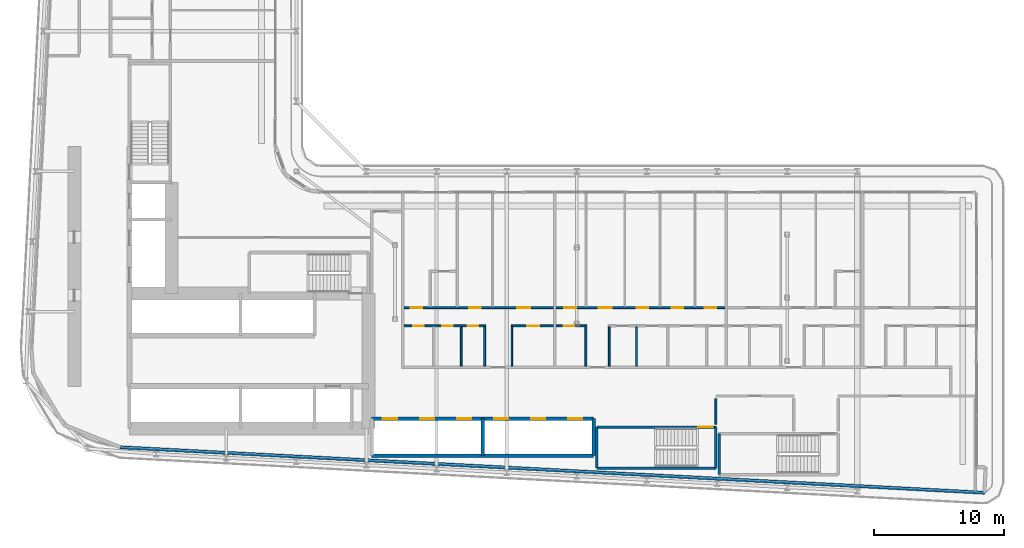
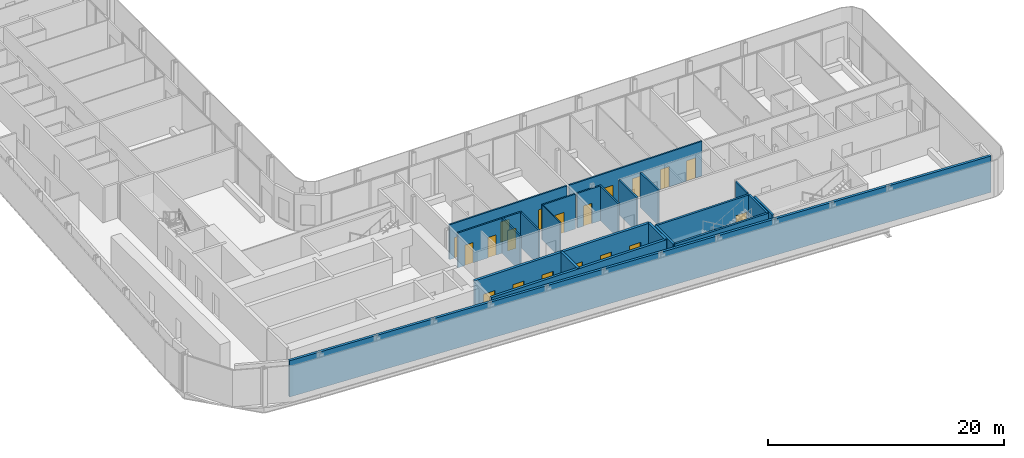
# One storey, part 14 of 28: 22 walls, 20 doors, 20 openings.
"""IFC4 building model written with IfcOpenShell, lengths in metres."""

from ifc_helpers import new_model, si_unit, direction, frame, frame_2d, origin, place, context, subcontext, project, spatial, rectangle, extrude, source, transform, mapped, material, layer, layer_set, type_object, element, fill, save


model = new_model("IFC4")

# Units and contexts
model_context = context("Model", 3, precision=1e-05, world=origin(), true_north=direction((0.0, 1.0)))
body_context = subcontext(model_context, "Body", "Model", "MODEL_VIEW")
ifc_project = project(units=[si_unit("LENGTHUNIT", "METRE"), si_unit("AREAUNIT", "SQUARE_METRE"), si_unit("VOLUMEUNIT", "CUBIC_METRE"), si_unit("PLANEANGLEUNIT", "RADIAN"), si_unit("MASSUNIT", "GRAM", prefix="KILO")], contexts=[model_context])

# Site, building, storey
site_placement = place(None, origin())
site = spatial("IfcSite", under=ifc_project, at=site_placement, CompositionType="ELEMENT")
building_placement = place(site_placement, origin())
building = spatial("IfcBuilding", under=site, at=building_placement, Name="Kheshtan School and Residences Tower", CompositionType="ELEMENT")
storey_placement = place(building_placement, frame((0.0, 0.0, 77.300048828125)))
storey = spatial("IfcBuildingStorey", under=building, at=storey_placement, Name="L18", CompositionType="ELEMENT", Elevation=77.300048828125)

# Walls
ifc_material_1 = material(Name="Concrete C40/50 with ceramic cladding and mineral wool insulation", Category="concrete")
ifc_layer_1 = layer(ifc_material_1, 0.25)
ifc_layer_set_1 = layer_set([ifc_layer_1], Name="External wall 250 ceramic clad")
wall_type_1 = type_object("IfcWallType", Name="External wall 250 ceramic clad", PredefinedType="SOLIDWALL", material=ifc_layer_set_1)
wall_1_placement = place(storey_placement, frame((100.5859375, 20.85009765625, 0.0), z_axis=(0.0, 0.0, 1.0), x_axis=(-0.99861746497, 0.052565755559, 0.0)))
element("IfcWall", 1, at=wall_1_placement, inside=storey, type_object=wall_type_1, Name="External wall L18 16", PredefinedType="SOLIDWALL", context=body_context, shape_type="SweptSolid", body=[
    extrude(rectangle(XDim=66.638916015625, YDim=0.25, at=frame_2d((33.3193359375, 0.0))), origin(), (0.0, 0.0, 1.0), 3.75),
])
ifc_material_2 = material(Name="Gypsum board on steel studs", Category="steel")
ifc_layer_2 = layer(ifc_material_2, 0.10009765625)
ifc_layer_set_2 = layer_set([ifc_layer_2], Name="Gypsum partition 100")
wall_type_2 = type_object("IfcWallType", Name="Gypsum partition 100", PredefinedType="PARTITIONING", material=ifc_layer_set_2)
wall_2_placement = place(storey_placement, frame((64.199951171875, 30.60009765625, 0.0), z_axis=(0.0, 0.0, 1.0), x_axis=(0.0, 1.0, 0.0)))
element("IfcWall", 2, at=wall_2_placement, inside=storey, type_object=wall_type_2, Name="Partition L18-058", PredefinedType="PARTITIONING", context=body_context, shape_type="SweptSolid", body=[
    extrude(rectangle(XDim=3.02490234375, YDim=0.10009765625, at=frame_2d((1.512451171875, 0.0))), origin(), (0.0, 0.0, 1.0), 3.599853515625),
])
ifc_material_3 = material(Name="Fire-board shaft wall system")
ifc_layer_3 = layer(ifc_material_3, 0.14990234375)
ifc_layer_set_3 = layer_set([ifc_layer_3], Name="Service room wall 150")
wall_type_3 = type_object("IfcWallType", Name="Service room wall 150", PredefinedType="PARTITIONING", material=ifc_layer_set_3)
wall_3_placement = place(storey_placement, frame((79.909912109375, 26.1201171875, 0.0), z_axis=(0.0, 0.0, 1.0), x_axis=(0.0, 1.0, 0.0)))
element("IfcWall", 3, at=wall_3_placement, inside=storey, type_object=wall_type_3, Name="Service room wall", PredefinedType="PARTITIONING", context=body_context, shape_type="SweptSolid", body=[
    extrude(rectangle(XDim=1.98486328125, YDim=0.14990234375, at=frame_2d((0.992431640625, 0.0))), origin(), (0.0, 0.0, 1.0), 3.89990234375),
])
ifc_layer_4 = layer(ifc_material_3, 0.25)
ifc_layer_set_4 = layer_set([ifc_layer_4], Name="Shaft lining wall 250")
wall_type_4 = type_object("IfcWallType", Name="Shaft lining wall 250", PredefinedType="PARTITIONING", material=ifc_layer_set_4)
for number, where, z_axis, x_axis, name in (
    (4, (61.949951171875, 23.699951171875, 0.0), (0.0, 0.0, 1.0), (0.0, 1.0, 0.0), "Shaft lining wall"),
    (5, (70.5, 23.699951171875, 0.0), (0.0, 0.0, 1.0), (0.0, 1.0, 0.0), "Shaft lining wall"),
):
    element("IfcWall", number, at=place(storey_placement, frame(where, z_axis=z_axis, x_axis=x_axis)), inside=storey, type_object=wall_type_4, Name=name, PredefinedType="PARTITIONING", context=body_context, shape_type="SweptSolid", body=[
        extrude(rectangle(XDim=2.85009765625, YDim=0.25, at=frame_2d((1.425048828125, 0.0))), origin(), (0.0, 0.0, 1.0), 3.89990234375),
    ])
wall_4_placement = place(storey_placement, frame((53.39990234375, 23.699951171875, 0.0), z_axis=(0.0, 0.0, 1.0), x_axis=(1.0, 0.0, 0.0)))
element("IfcWall", 6, at=wall_4_placement, inside=storey, type_object=wall_type_4, Name="Shaft lining wall", PredefinedType="PARTITIONING", context=body_context, shape_type="SweptSolid", body=[
    extrude(rectangle(XDim=17.10009765625, YDim=0.25, at=frame_2d((8.550048828125, 0.0))), origin(), (0.0, 0.0, 1.0), 3.89990234375),
])

# Wall, openings, doors
wall_5_placement = place(storey_placement, frame((53.39990234375, 26.550048828125, 0.0), z_axis=(0.0, 0.0, 1.0), x_axis=(1.0, 0.0, 0.0)))
wall_5 = element("IfcWall", 7, at=wall_5_placement, inside=storey, type_object=wall_type_4, Name="Shaft lining wall", PredefinedType="PARTITIONING", context=body_context, shape_type="SweptSolid", body=[
    extrude(rectangle(XDim=17.10009765625, YDim=0.25, at=frame_2d((8.550048828125, 0.0))), origin(), (0.0, 0.0, 1.0), 3.89990234375),
])
opening_1_placement = place(wall_5_placement, frame((0.875, 0.0, 0.0)))
opening_1 = element("IfcOpeningElement", 8, at=opening_1_placement, cuts=wall_5, Name="Opening LD", PredefinedType="OPENING", context=body_context, shape_type="SweptSolid", body=[
    extrude(rectangle(XDim=1.10009765625, YDim=2.199951171875, at=frame_2d((0.550048828125, 1.10009765625))), frame((0.0, 0.135009765625, 0.0), z_axis=(0.0, -1.0, 0.0), x_axis=(1.0, 0.0, 0.0)), (0.0, 0.0, 1.0), 0.27001953125),
])
opening_2_placement = place(wall_5_placement, frame((3.72509765625, 0.0, 0.0)))
opening_2 = element("IfcOpeningElement", 9, at=opening_2_placement, cuts=wall_5, Name="Opening LD", PredefinedType="OPENING", context=body_context, shape_type="SweptSolid", body=[
    extrude(rectangle(XDim=1.10009765625, YDim=2.199951171875, at=frame_2d((0.550048828125, 1.10009765625))), frame((0.0, 0.135009765625, 0.0), z_axis=(0.0, -1.0, 0.0), x_axis=(1.0, 0.0, 0.0)), (0.0, 0.0, 1.0), 0.27001953125),
])
opening_3_placement = place(wall_5_placement, frame((6.574951171875, 0.0, 0.0)))
opening_3 = element("IfcOpeningElement", 10, at=opening_3_placement, cuts=wall_5, Name="Opening LD", PredefinedType="OPENING", context=body_context, shape_type="SweptSolid", body=[
    extrude(rectangle(XDim=1.10009765625, YDim=2.199951171875, at=frame_2d((0.550048828125, 1.10009765625))), frame((0.0, 0.135009765625, 0.0), z_axis=(0.0, -1.0, 0.0), x_axis=(1.0, 0.0, 0.0)), (0.0, 0.0, 1.0), 0.27001953125),
])
opening_4_placement = place(wall_5_placement, frame((9.425048828125, 0.0, 0.0)))
opening_4 = element("IfcOpeningElement", 11, at=opening_4_placement, cuts=wall_5, Name="Opening LD", PredefinedType="OPENING", context=body_context, shape_type="SweptSolid", body=[
    extrude(rectangle(XDim=1.10009765625, YDim=2.199951171875, at=frame_2d((0.550048828125, 1.10009765625))), frame((0.0, 0.135009765625, 0.0), z_axis=(0.0, -1.0, 0.0), x_axis=(1.0, 0.0, 0.0)), (0.0, 0.0, 1.0), 0.27001953125),
])
opening_5_placement = place(wall_5_placement, frame((12.27490234375, 0.0, 0.0)))
opening_5 = element("IfcOpeningElement", 12, at=opening_5_placement, cuts=wall_5, Name="Opening LD", PredefinedType="OPENING", context=body_context, shape_type="SweptSolid", body=[
    extrude(rectangle(XDim=1.10009765625, YDim=2.199951171875, at=frame_2d((0.550048828125, 1.10009765625))), frame((0.0, 0.135009765625, 0.0), z_axis=(0.0, -1.0, 0.0), x_axis=(1.0, 0.0, 0.0)), (0.0, 0.0, 1.0), 0.27001953125),
])
opening_6_placement = place(wall_5_placement, frame((15.125, 0.0, 0.0)))
opening_6 = element("IfcOpeningElement", 13, at=opening_6_placement, cuts=wall_5, Name="Opening LD", PredefinedType="OPENING", context=body_context, shape_type="SweptSolid", body=[
    extrude(rectangle(XDim=1.10009765625, YDim=2.199951171875, at=frame_2d((0.550048828125, 1.10009765625))), frame((0.0, 0.135009765625, 0.0), z_axis=(0.0, -1.0, 0.0), x_axis=(1.0, 0.0, 0.0)), (0.0, 0.0, 1.0), 0.27001953125),
])
ifc_material_4 = material(Name="Stainless steel door leaves", Category="steel")
door_type_1 = type_object("IfcDoorType", Name="Lift landing door 1100", OperationType="SLIDING_TO_LEFT", PredefinedType="DOOR", material=ifc_material_4)
shared_shape_1 = source(origin(), body_context, "Body", "SweptSolid", [
    extrude(rectangle(XDim=1.10009765625, YDim=2.199951171875, at=frame_2d((0.550048828125, 1.10009765625))), frame((0.0, 0.02490234375, 0.0), z_axis=(0.0, -1.0, 0.0), x_axis=(1.0, 0.0, 0.0)), (0.0, 0.0, 1.0), 0.050048828125),
])
door_1_placement = place(opening_1_placement, origin())
door_1 = element("IfcDoor", 14, at=door_1_placement, inside=storey, type_object=door_type_1, Name="Lift P1 landing door", OperationType="SLIDING_TO_LEFT", OverallHeight=2.199951171875, OverallWidth=1.10009765625, PredefinedType="DOOR", context=body_context, shape_type="MappedRepresentation", body=[
    mapped(shared_shape_1, transform((0.0, 0.0, 0.0), x_axis=(1.0, 0.0, 0.0), y_axis=(0.0, 1.0, 0.0), z_axis=(0.0, 0.0, 1.0), scale=1.0)),
])
fill(opening_1, door_1)
door_2_placement = place(opening_2_placement, origin())
door_2 = element("IfcDoor", 15, at=door_2_placement, inside=storey, type_object=door_type_1, Name="Lift P2 landing door", OperationType="SLIDING_TO_LEFT", OverallHeight=2.199951171875, OverallWidth=1.10009765625, PredefinedType="DOOR", context=body_context, shape_type="MappedRepresentation", body=[
    mapped(shared_shape_1, transform((0.0, 0.0, 0.0), x_axis=(1.0, 0.0, 0.0), y_axis=(0.0, 1.0, 0.0), z_axis=(0.0, 0.0, 1.0), scale=1.0)),
])
fill(opening_2, door_2)
door_3_placement = place(opening_3_placement, origin())
door_3 = element("IfcDoor", 16, at=door_3_placement, inside=storey, type_object=door_type_1, Name="Lift P3 landing door", OperationType="SLIDING_TO_LEFT", OverallHeight=2.199951171875, OverallWidth=1.10009765625, PredefinedType="DOOR", context=body_context, shape_type="MappedRepresentation", body=[
    mapped(shared_shape_1, transform((0.0, 0.0, 0.0), x_axis=(1.0, 0.0, 0.0), y_axis=(0.0, 1.0, 0.0), z_axis=(0.0, 0.0, 1.0), scale=1.0)),
])
fill(opening_3, door_3)
door_4_placement = place(opening_4_placement, origin())
door_4 = element("IfcDoor", 17, at=door_4_placement, inside=storey, type_object=door_type_1, Name="Lift P4 landing door", OperationType="SLIDING_TO_LEFT", OverallHeight=2.199951171875, OverallWidth=1.10009765625, PredefinedType="DOOR", context=body_context, shape_type="MappedRepresentation", body=[
    mapped(shared_shape_1, transform((0.0, 0.0, 0.0), x_axis=(1.0, 0.0, 0.0), y_axis=(0.0, 1.0, 0.0), z_axis=(0.0, 0.0, 1.0), scale=1.0)),
])
fill(opening_4, door_4)
door_5_placement = place(opening_5_placement, origin())
door_5 = element("IfcDoor", 18, at=door_5_placement, inside=storey, type_object=door_type_1, Name="Lift P5 landing door", OperationType="SLIDING_TO_LEFT", OverallHeight=2.199951171875, OverallWidth=1.10009765625, PredefinedType="DOOR", context=body_context, shape_type="MappedRepresentation", body=[
    mapped(shared_shape_1, transform((0.0, 0.0, 0.0), x_axis=(1.0, 0.0, 0.0), y_axis=(0.0, 1.0, 0.0), z_axis=(0.0, 0.0, 1.0), scale=1.0)),
])
fill(opening_5, door_5)
door_6_placement = place(opening_6_placement, origin())
door_6 = element("IfcDoor", 19, at=door_6_placement, inside=storey, type_object=door_type_1, Name="Lift P6 landing door", OperationType="SLIDING_TO_LEFT", OverallHeight=2.199951171875, OverallWidth=1.10009765625, PredefinedType="DOOR", context=body_context, shape_type="MappedRepresentation", body=[
    mapped(shared_shape_1, transform((0.0, 0.0, 0.0), x_axis=(1.0, 0.0, 0.0), y_axis=(0.0, 1.0, 0.0), z_axis=(0.0, 0.0, 1.0), scale=1.0)),
])
fill(opening_6, door_6)

# Walls
ifc_material_5 = material(Name="Concrete C40/50", Category="concrete")
ifc_layer_5 = layer(ifc_material_5, 0.199951171875)
ifc_layer_set_5 = layer_set([ifc_layer_5], Name="Stair enclosure wall 200 Concrete C40/50")
wall_type_5 = type_object("IfcWallType", Name="Stair enclosure wall 200 Concrete C40/50", PredefinedType="SHEAR", material=ifc_layer_set_5)
wall_6_placement = place(storey_placement, frame((80.159912109375, 22.25, 0.0), z_axis=(0.0, 0.0, 1.0), x_axis=(0.0, 1.0, 0.0)))
element("IfcWall", 20, at=wall_6_placement, inside=storey, type_object=wall_type_5, Name="Stair enclosure wall ST4", PredefinedType="SHEAR", context=body_context, shape_type="SweptSolid", body=[
    extrude(rectangle(XDim=3.14990234375, YDim=0.199951171875, at=frame_2d((1.574951171875, 0.0))), origin(), (0.0, 0.0, 1.0), 3.89990234375),
])
wall_7_placement = place(storey_placement, frame((70.75, 22.75, 0.0), z_axis=(0.0, 0.0, 1.0), x_axis=(1.0, 0.0, 0.0)))
element("IfcWall", 21, at=wall_7_placement, inside=storey, type_object=wall_type_5, Name="Stair enclosure wall ST5", PredefinedType="SHEAR", context=body_context, shape_type="SweptSolid", body=[
    extrude(rectangle(XDim=9.159912109375, YDim=0.199951171875, at=frame_2d((4.580078125, 0.0))), origin(), (0.0, 0.0, 1.0), 3.89990234375),
])

# Wall, opening, door
wall_8_placement = place(storey_placement, frame((70.75, 25.89990234375, 0.0), z_axis=(0.0, 0.0, 1.0), x_axis=(1.0, 0.0, 0.0)))
wall_8 = element("IfcWall", 22, at=wall_8_placement, inside=storey, type_object=wall_type_5, Name="Stair enclosure wall ST5", PredefinedType="SHEAR", context=body_context, shape_type="SweptSolid", body=[
    extrude(rectangle(XDim=9.159912109375, YDim=0.199951171875, at=frame_2d((4.580078125, 0.0))), origin(), (0.0, 0.0, 1.0), 3.89990234375),
])
opening_7_placement = place(wall_8_placement, frame((7.81005859375, 0.0, 0.0)))
opening_7 = element("IfcOpeningElement", 23, at=opening_7_placement, cuts=wall_8, Name="Opening ST5D", PredefinedType="OPENING", context=body_context, shape_type="SweptSolid", body=[
    extrude(rectangle(XDim=1.10009765625, YDim=2.199951171875, at=frame_2d((0.550048828125, 1.10009765625))), frame((0.0, 0.10986328125, 0.0), z_axis=(0.0, -1.0, 0.0), x_axis=(1.0, 0.0, 0.0)), (0.0, 0.0, 1.0), 0.219970703125),
])
ifc_material_6 = material(Name="Steel door leaf, galvanised", Category="steel")
door_type_2 = type_object("IfcDoorType", Name="Stair door 1100 steel 90 min", OperationType="SINGLE_SWING_LEFT", PredefinedType="DOOR", material=ifc_material_6)
shared_shape_2 = source(origin(), body_context, "Body", "SweptSolid", [
    extrude(rectangle(XDim=1.10009765625, YDim=2.199951171875, at=frame_2d((0.550048828125, 1.10009765625))), frame((0.0, 0.02490234375, 0.0), z_axis=(0.0, -1.0, 0.0), x_axis=(1.0, 0.0, 0.0)), (0.0, 0.0, 1.0), 0.050048828125),
])
door_7_placement = place(opening_7_placement, origin())
door_7 = element("IfcDoor", 24, at=door_7_placement, inside=storey, type_object=door_type_2, Name="Stair ST5 door", OperationType="SINGLE_SWING_LEFT", OverallHeight=2.199951171875, OverallWidth=1.10009765625, PredefinedType="DOOR", context=body_context, shape_type="MappedRepresentation", body=[
    mapped(shared_shape_2, transform((0.0, 0.0, 0.0), x_axis=(1.0, 0.0, 0.0), y_axis=(0.0, 1.0, 0.0), z_axis=(0.0, 0.0, 1.0), scale=1.0)),
])
fill(opening_7, door_7)

# Walls
for number, where, z_axis, x_axis, name in (
    (25, (70.75, 22.75, 0.0), (0.0, 0.0, 1.0), (0.0, 1.0, 0.0), "Stair enclosure wall ST5"),
    (26, (79.909912109375, 22.75, 0.0), (0.0, 0.0, 1.0), (0.0, 1.0, 0.0), "Stair enclosure wall ST5"),
):
    element("IfcWall", number, at=place(storey_placement, frame(where, z_axis=z_axis, x_axis=x_axis)), inside=storey, type_object=wall_type_5, Name=name, PredefinedType="SHEAR", context=body_context, shape_type="SweptSolid", body=[
        extrude(rectangle(XDim=3.14990234375, YDim=0.199951171875, at=frame_2d((1.574951171875, 0.0))), origin(), (0.0, 0.0, 1.0), 3.89990234375),
    ])

# Wall, openings, doors
ifc_material_7 = material(Name="Moisture-resistant gypsum board on steel studs", Category="steel")
ifc_layer_6 = layer(ifc_material_7, 0.14990234375)
ifc_layer_set_6 = layer_set([ifc_layer_6], Name="Wet-room partition 150")
wall_type_6 = type_object("IfcWallType", Name="Wet-room partition 150", PredefinedType="PARTITIONING", material=ifc_layer_set_6)
wall_9_placement = place(storey_placement, frame((55.89990234375, 33.699951171875, 0.0), z_axis=(0.0, 0.0, 1.0), x_axis=(1.0, 0.0, 0.0)))
wall_9 = element("IfcWall", 27, at=wall_9_placement, inside=storey, type_object=wall_type_6, Name="Partition L18-048", PredefinedType="PARTITIONING", context=body_context, shape_type="SweptSolid", body=[
    extrude(rectangle(XDim=6.275146484375, YDim=0.14990234375, at=frame_2d((3.1376953125, 0.0))), origin(), (0.0, 0.0, 1.0), 3.599853515625),
])
opening_8_placement = place(wall_9_placement, frame((0.699951171875, 0.0, 0.0)))
opening_8 = element("IfcOpeningElement", 28, at=opening_8_placement, cuts=wall_9, Name="Opening D17-001", PredefinedType="OPENING", context=body_context, shape_type="SweptSolid", body=[
    extrude(rectangle(XDim=0.800048828125, YDim=2.10009765625, at=frame_2d((0.39990234375, 1.050048828125))), frame((0.0, 0.0849609375, 0.0), z_axis=(0.0, -1.0, 0.0), x_axis=(1.0, 0.0, 0.0)), (0.0, 0.0, 1.0), 0.169921875),
])
opening_9_placement = place(wall_9_placement, frame((2.949951171875, 0.0, 0.0)))
opening_9 = element("IfcOpeningElement", 29, at=opening_9_placement, cuts=wall_9, Name="Opening D17-006", PredefinedType="OPENING", context=body_context, shape_type="SweptSolid", body=[
    extrude(rectangle(XDim=0.800048828125, YDim=2.10009765625, at=frame_2d((0.39990234375, 1.050048828125))), frame((0.0, 0.0849609375, 0.0), z_axis=(0.0, -1.0, 0.0), x_axis=(1.0, 0.0, 0.0)), (0.0, 0.0, 1.0), 0.169921875),
])
opening_10_placement = place(wall_9_placement, frame((4.89990234375, 0.0, 0.0)))
opening_10 = element("IfcOpeningElement", 30, at=opening_10_placement, cuts=wall_9, Name="Opening D17-009", PredefinedType="OPENING", context=body_context, shape_type="SweptSolid", body=[
    extrude(rectangle(XDim=0.800048828125, YDim=2.10009765625, at=frame_2d((0.39990234375, 1.050048828125))), frame((0.0, 0.0849609375, 0.0), z_axis=(0.0, -1.0, 0.0), x_axis=(1.0, 0.0, 0.0)), (0.0, 0.0, 1.0), 0.169921875),
])
ifc_material_8 = material(Name="Veneered timber door leaf", Category="wood")
door_type_3 = type_object("IfcDoorType", Name="Door 800 x 2100", OperationType="SINGLE_SWING_LEFT", PredefinedType="DOOR", material=ifc_material_8)
shared_shape_3 = source(origin(), body_context, "Body", "SweptSolid", [
    extrude(rectangle(XDim=0.800048828125, YDim=2.10009765625, at=frame_2d((0.39990234375, 1.050048828125))), frame((0.0, 0.02490234375, 0.0), z_axis=(0.0, -1.0, 0.0), x_axis=(1.0, 0.0, 0.0)), (0.0, 0.0, 1.0), 0.050048828125),
])
door_8_placement = place(opening_8_placement, origin())
door_8 = element("IfcDoor", 31, at=door_8_placement, inside=storey, type_object=door_type_3, Name="Door D17-001", OperationType="SINGLE_SWING_RIGHT", OverallHeight=2.10009765625, OverallWidth=0.800048828125, PredefinedType="DOOR", context=body_context, shape_type="MappedRepresentation", body=[
    mapped(shared_shape_3, transform((0.0, 0.0, 0.0), x_axis=(1.0, 0.0, 0.0), y_axis=(0.0, 1.0, 0.0), z_axis=(0.0, 0.0, 1.0), scale=1.0)),
])
fill(opening_8, door_8)
door_9_placement = place(opening_9_placement, origin())
door_9 = element("IfcDoor", 32, at=door_9_placement, inside=storey, type_object=door_type_3, Name="Door D17-006", OperationType="SINGLE_SWING_LEFT", OverallHeight=2.10009765625, OverallWidth=0.800048828125, PredefinedType="DOOR", context=body_context, shape_type="MappedRepresentation", body=[
    mapped(shared_shape_3, transform((0.0, 0.0, 0.0), x_axis=(1.0, 0.0, 0.0), y_axis=(0.0, 1.0, 0.0), z_axis=(0.0, 0.0, 1.0), scale=1.0)),
])
fill(opening_9, door_9)
door_10_placement = place(opening_10_placement, origin())
door_10 = element("IfcDoor", 33, at=door_10_placement, inside=storey, type_object=door_type_3, Name="Door D17-009", OperationType="SINGLE_SWING_RIGHT", OverallHeight=2.10009765625, OverallWidth=0.800048828125, PredefinedType="DOOR", context=body_context, shape_type="MappedRepresentation", body=[
    mapped(shared_shape_3, transform((0.0, 0.0, 0.0), x_axis=(1.0, 0.0, 0.0), y_axis=(0.0, 1.0, 0.0), z_axis=(0.0, 0.0, 1.0), scale=1.0)),
])
fill(opening_10, door_10)

wall_10_placement = place(storey_placement, frame((55.89990234375, 35.10009765625, 0.0), z_axis=(0.0, 0.0, 1.0), x_axis=(1.0, 0.0, 0.0)))
wall_10 = element("IfcWall", 34, at=wall_10_placement, inside=storey, type_object=wall_type_6, Name="Partition L18-049", PredefinedType="PARTITIONING", context=body_context, shape_type="SweptSolid", body=[
    extrude(rectangle(XDim=11.5, YDim=0.14990234375, at=frame_2d((5.75, 0.0))), origin(), (0.0, 0.0, 1.0), 3.599853515625),
])
opening_11_placement = place(wall_10_placement, frame((5.0, 0.0, 0.0)))
opening_11 = element("IfcOpeningElement", 35, at=opening_11_placement, cuts=wall_10, Name="Opening D17-002", PredefinedType="OPENING", context=body_context, shape_type="SweptSolid", body=[
    extrude(rectangle(XDim=0.89990234375, YDim=2.10009765625, at=frame_2d((0.449951171875, 1.050048828125))), frame((0.0, 0.0849609375, 0.0), z_axis=(0.0, -1.0, 0.0), x_axis=(1.0, 0.0, 0.0)), (0.0, 0.0, 1.0), 0.169921875),
])
opening_12_placement = place(wall_10_placement, frame((8.699951171875, 0.0, 0.0)))
opening_12 = element("IfcOpeningElement", 36, at=opening_12_placement, cuts=wall_10, Name="Opening D17-007", PredefinedType="OPENING", context=body_context, shape_type="SweptSolid", body=[
    extrude(rectangle(XDim=1.0, YDim=2.10009765625, at=frame_2d((0.5, 1.050048828125))), frame((0.0, 0.0849609375, 0.0), z_axis=(0.0, -1.0, 0.0), x_axis=(1.0, 0.0, 0.0)), (0.0, 0.0, 1.0), 0.169921875),
])
opening_13_placement = place(wall_10_placement, frame((0.5, 0.0, 0.0)))
opening_13 = element("IfcOpeningElement", 37, at=opening_13_placement, cuts=wall_10, Name="Opening D17-008", PredefinedType="OPENING", context=body_context, shape_type="SweptSolid", body=[
    extrude(rectangle(XDim=0.89990234375, YDim=2.10009765625, at=frame_2d((0.449951171875, 1.050048828125))), frame((0.0, 0.0849609375, 0.0), z_axis=(0.0, -1.0, 0.0), x_axis=(1.0, 0.0, 0.0)), (0.0, 0.0, 1.0), 0.169921875),
])
door_type_4 = type_object("IfcDoorType", Name="Door 1000 x 2100", OperationType="SINGLE_SWING_LEFT", PredefinedType="DOOR", material=ifc_material_8)
shared_shape_4 = source(origin(), body_context, "Body", "SweptSolid", [
    extrude(rectangle(XDim=1.0, YDim=2.10009765625, at=frame_2d((0.5, 1.050048828125))), frame((0.0, 0.02490234375, 0.0), z_axis=(0.0, -1.0, 0.0), x_axis=(1.0, 0.0, 0.0)), (0.0, 0.0, 1.0), 0.050048828125),
])
door_11_placement = place(opening_12_placement, origin())
door_11 = element("IfcDoor", 38, at=door_11_placement, inside=storey, type_object=door_type_4, Name="Door D17-007", OperationType="SINGLE_SWING_RIGHT", OverallHeight=2.10009765625, OverallWidth=1.0, PredefinedType="DOOR", context=body_context, shape_type="MappedRepresentation", body=[
    mapped(shared_shape_4, transform((0.0, 0.0, 0.0), x_axis=(1.0, 0.0, 0.0), y_axis=(0.0, 1.0, 0.0), z_axis=(0.0, 0.0, 1.0), scale=1.0)),
])
fill(opening_12, door_11)
door_type_5 = type_object("IfcDoorType", Name="Door 900 x 2100", OperationType="SINGLE_SWING_LEFT", PredefinedType="DOOR", material=ifc_material_8)
shared_shape_5 = source(origin(), body_context, "Body", "SweptSolid", [
    extrude(rectangle(XDim=0.89990234375, YDim=2.10009765625, at=frame_2d((0.449951171875, 1.050048828125))), frame((0.0, 0.02490234375, 0.0), z_axis=(0.0, -1.0, 0.0), x_axis=(1.0, 0.0, 0.0)), (0.0, 0.0, 1.0), 0.050048828125),
])
door_12_placement = place(opening_11_placement, origin())
door_12 = element("IfcDoor", 39, at=door_12_placement, inside=storey, type_object=door_type_5, Name="Door D17-002", OperationType="SINGLE_SWING_LEFT", OverallHeight=2.10009765625, OverallWidth=0.89990234375, PredefinedType="DOOR", context=body_context, shape_type="MappedRepresentation", body=[
    mapped(shared_shape_5, transform((0.0, 0.0, 0.0), x_axis=(1.0, 0.0, 0.0), y_axis=(0.0, 1.0, 0.0), z_axis=(0.0, 0.0, 1.0), scale=1.0)),
])
fill(opening_11, door_12)
door_13_placement = place(opening_13_placement, origin())
door_13 = element("IfcDoor", 40, at=door_13_placement, inside=storey, type_object=door_type_5, Name="Door D17-008", OperationType="SINGLE_SWING_RIGHT", OverallHeight=2.10009765625, OverallWidth=0.89990234375, PredefinedType="DOOR", context=body_context, shape_type="MappedRepresentation", body=[
    mapped(shared_shape_5, transform((0.0, 0.0, 0.0), x_axis=(1.0, 0.0, 0.0), y_axis=(0.0, 1.0, 0.0), z_axis=(0.0, 0.0, 1.0), scale=1.0)),
])
fill(opening_13, door_13)

# Walls
for number, where, z_axis, x_axis, name in (
    (41, (60.300048828125, 30.60009765625, 0.0), (0.0, 0.0, 1.0), (0.0, 1.0, 0.0), "Partition L18-054"),
    (42, (62.10009765625, 30.60009765625, 0.0), (0.0, 0.0, 1.0), (0.0, 1.0, 0.0), "Partition L18-055"),
):
    element("IfcWall", number, at=place(storey_placement, frame(where, z_axis=z_axis, x_axis=x_axis)), inside=storey, type_object=wall_type_6, Name=name, PredefinedType="PARTITIONING", context=body_context, shape_type="SweptSolid", body=[
        extrude(rectangle(XDim=3.02490234375, YDim=0.14990234375, at=frame_2d((1.512451171875, 0.0))), origin(), (0.0, 0.0, 1.0), 3.599853515625),
    ])

# Wall, opening, door
wall_11_placement = place(storey_placement, frame((64.14990234375, 33.699951171875, 0.0), z_axis=(0.0, 0.0, 1.0), x_axis=(1.0, 0.0, 0.0)))
wall_11 = element("IfcWall", 43, at=wall_11_placement, inside=storey, type_object=wall_type_6, Name="Partition L18-057", PredefinedType="PARTITIONING", context=body_context, shape_type="SweptSolid", body=[
    extrude(rectangle(XDim=3.25, YDim=0.14990234375, at=frame_2d((1.625, 0.0))), origin(), (0.0, 0.0, 1.0), 3.599853515625),
])
opening_14_placement = place(wall_11_placement, frame((1.25, 0.0, 0.0)))
opening_14 = element("IfcOpeningElement", 44, at=opening_14_placement, cuts=wall_11, Name="Opening D17-005", PredefinedType="OPENING", context=body_context, shape_type="SweptSolid", body=[
    extrude(rectangle(XDim=0.89990234375, YDim=2.10009765625, at=frame_2d((0.449951171875, 1.050048828125))), frame((0.0, 0.0849609375, 0.0), z_axis=(0.0, -1.0, 0.0), x_axis=(1.0, 0.0, 0.0)), (0.0, 0.0, 1.0), 0.169921875),
])
door_14_placement = place(opening_14_placement, origin())
door_14 = element("IfcDoor", 45, at=door_14_placement, inside=storey, type_object=door_type_5, Name="Door D17-005", OperationType="SINGLE_SWING_LEFT", OverallHeight=2.10009765625, OverallWidth=0.89990234375, PredefinedType="DOOR", context=body_context, shape_type="MappedRepresentation", body=[
    mapped(shared_shape_5, transform((0.0, 0.0, 0.0), x_axis=(1.0, 0.0, 0.0), y_axis=(0.0, 1.0, 0.0), z_axis=(0.0, 0.0, 1.0), scale=1.0)),
])
fill(opening_14, door_14)

wall_12_placement = place(storey_placement, frame((67.60009765625, 33.699951171875, 0.0), z_axis=(0.0, 0.0, 1.0), x_axis=(1.0, 0.0, 0.0)))
wall_12 = element("IfcWall", 46, at=wall_12_placement, inside=storey, type_object=wall_type_6, Name="Partition L18-060", PredefinedType="PARTITIONING", context=body_context, shape_type="SweptSolid", body=[
    extrude(rectangle(XDim=2.224853515625, YDim=0.14990234375, at=frame_2d((1.1123046875, 0.0))), origin(), (0.0, 0.0, 1.0), 3.599853515625),
])
opening_15_placement = place(wall_12_placement, frame((0.60009765625, 0.0, 0.0)))
opening_15 = element("IfcOpeningElement", 47, at=opening_15_placement, cuts=wall_12, Name="Opening D17-010", PredefinedType="OPENING", context=body_context, shape_type="SweptSolid", body=[
    extrude(rectangle(XDim=0.800048828125, YDim=2.10009765625, at=frame_2d((0.39990234375, 1.050048828125))), frame((0.0, 0.0849609375, 0.0), z_axis=(0.0, -1.0, 0.0), x_axis=(1.0, 0.0, 0.0)), (0.0, 0.0, 1.0), 0.169921875),
])
door_15_placement = place(opening_15_placement, origin())
door_15 = element("IfcDoor", 48, at=door_15_placement, inside=storey, type_object=door_type_3, Name="Door D17-010", OperationType="SINGLE_SWING_RIGHT", OverallHeight=2.10009765625, OverallWidth=0.800048828125, PredefinedType="DOOR", context=body_context, shape_type="MappedRepresentation", body=[
    mapped(shared_shape_3, transform((0.0, 0.0, 0.0), x_axis=(1.0, 0.0, 0.0), y_axis=(0.0, 1.0, 0.0), z_axis=(0.0, 0.0, 1.0), scale=1.0)),
])
fill(opening_15, door_15)

# Wall, openings, doors
wall_13_placement = place(storey_placement, frame((67.60009765625, 35.10009765625, 0.0), z_axis=(0.0, 0.0, 1.0), x_axis=(1.0, 0.0, 0.0)))
wall_13 = element("IfcWall", 49, at=wall_13_placement, inside=storey, type_object=wall_type_6, Name="Partition L18-061", PredefinedType="PARTITIONING", context=body_context, shape_type="SweptSolid", body=[
    extrude(rectangle(XDim=13.0, YDim=0.14990234375, at=frame_2d((6.5, 0.0))), origin(), (0.0, 0.0, 1.0), 3.599853515625),
])
opening_16_placement = place(wall_13_placement, frame((0.64990234375, 0.0, 0.0)))
opening_16 = element("IfcOpeningElement", 50, at=opening_16_placement, cuts=wall_13, Name="Opening D17-012", PredefinedType="OPENING", context=body_context, shape_type="SweptSolid", body=[
    extrude(rectangle(XDim=0.89990234375, YDim=2.10009765625, at=frame_2d((0.449951171875, 1.050048828125))), frame((0.0, 0.0849609375, 0.0), z_axis=(0.0, -1.0, 0.0), x_axis=(1.0, 0.0, 0.0)), (0.0, 0.0, 1.0), 0.169921875),
])
opening_17_placement = place(wall_13_placement, frame((8.89990234375, 0.0, 0.0)))
opening_17 = element("IfcOpeningElement", 51, at=opening_17_placement, cuts=wall_13, Name="Opening D17-013", PredefinedType="OPENING", context=body_context, shape_type="SweptSolid", body=[
    extrude(rectangle(XDim=0.89990234375, YDim=2.10009765625, at=frame_2d((0.449951171875, 1.050048828125))), frame((0.0, 0.0849609375, 0.0), z_axis=(0.0, -1.0, 0.0), x_axis=(1.0, 0.0, 0.0)), (0.0, 0.0, 1.0), 0.169921875),
])
opening_18_placement = place(wall_13_placement, frame((3.300048828125, 0.0, 0.0)))
opening_18 = element("IfcOpeningElement", 52, at=opening_18_placement, cuts=wall_13, Name="Opening D17-017", PredefinedType="OPENING", context=body_context, shape_type="SweptSolid", body=[
    extrude(rectangle(XDim=1.0, YDim=2.10009765625, at=frame_2d((0.5, 1.050048828125))), frame((0.0, 0.0849609375, 0.0), z_axis=(0.0, -1.0, 0.0), x_axis=(1.0, 0.0, 0.0)), (0.0, 0.0, 1.0), 0.169921875),
])
opening_19_placement = place(wall_13_placement, frame((11.449951171875, 0.0, 0.0)))
opening_19 = element("IfcOpeningElement", 53, at=opening_19_placement, cuts=wall_13, Name="Opening D17-018", PredefinedType="OPENING", context=body_context, shape_type="SweptSolid", body=[
    extrude(rectangle(XDim=0.89990234375, YDim=2.10009765625, at=frame_2d((0.449951171875, 1.050048828125))), frame((0.0, 0.0849609375, 0.0), z_axis=(0.0, -1.0, 0.0), x_axis=(1.0, 0.0, 0.0)), (0.0, 0.0, 1.0), 0.169921875),
])
opening_20_placement = place(wall_13_placement, frame((6.199951171875, 0.0, 0.0)))
opening_20 = element("IfcOpeningElement", 54, at=opening_20_placement, cuts=wall_13, Name="Opening D17-019", PredefinedType="OPENING", context=body_context, shape_type="SweptSolid", body=[
    extrude(rectangle(XDim=0.89990234375, YDim=2.10009765625, at=frame_2d((0.449951171875, 1.050048828125))), frame((0.0, 0.0849609375, 0.0), z_axis=(0.0, -1.0, 0.0), x_axis=(1.0, 0.0, 0.0)), (0.0, 0.0, 1.0), 0.169921875),
])
door_16_placement = place(opening_18_placement, origin())
door_16 = element("IfcDoor", 55, at=door_16_placement, inside=storey, type_object=door_type_4, Name="Door D17-017", OperationType="SINGLE_SWING_RIGHT", OverallHeight=2.10009765625, OverallWidth=1.0, PredefinedType="DOOR", context=body_context, shape_type="MappedRepresentation", body=[
    mapped(shared_shape_4, transform((0.0, 0.0, 0.0), x_axis=(1.0, 0.0, 0.0), y_axis=(0.0, 1.0, 0.0), z_axis=(0.0, 0.0, 1.0), scale=1.0)),
])
fill(opening_18, door_16)
door_17_placement = place(opening_16_placement, origin())
door_17 = element("IfcDoor", 56, at=door_17_placement, inside=storey, type_object=door_type_5, Name="Door D17-012", OperationType="SINGLE_SWING_LEFT", OverallHeight=2.10009765625, OverallWidth=0.89990234375, PredefinedType="DOOR", context=body_context, shape_type="MappedRepresentation", body=[
    mapped(shared_shape_5, transform((0.0, 0.0, 0.0), x_axis=(1.0, 0.0, 0.0), y_axis=(0.0, 1.0, 0.0), z_axis=(0.0, 0.0, 1.0), scale=1.0)),
])
fill(opening_16, door_17)
door_18_placement = place(opening_17_placement, origin())
door_18 = element("IfcDoor", 57, at=door_18_placement, inside=storey, type_object=door_type_5, Name="Door D17-013", OperationType="SINGLE_SWING_LEFT", OverallHeight=2.10009765625, OverallWidth=0.89990234375, PredefinedType="DOOR", context=body_context, shape_type="MappedRepresentation", body=[
    mapped(shared_shape_5, transform((0.0, 0.0, 0.0), x_axis=(1.0, 0.0, 0.0), y_axis=(0.0, 1.0, 0.0), z_axis=(0.0, 0.0, 1.0), scale=1.0)),
])
fill(opening_17, door_18)
door_19_placement = place(opening_19_placement, origin())
door_19 = element("IfcDoor", 58, at=door_19_placement, inside=storey, type_object=door_type_5, Name="Door D17-018", OperationType="SINGLE_SWING_RIGHT", OverallHeight=2.10009765625, OverallWidth=0.89990234375, PredefinedType="DOOR", context=body_context, shape_type="MappedRepresentation", body=[
    mapped(shared_shape_5, transform((0.0, 0.0, 0.0), x_axis=(1.0, 0.0, 0.0), y_axis=(0.0, 1.0, 0.0), z_axis=(0.0, 0.0, 1.0), scale=1.0)),
])
fill(opening_19, door_19)
door_20_placement = place(opening_20_placement, origin())
door_20 = element("IfcDoor", 59, at=door_20_placement, inside=storey, type_object=door_type_5, Name="Door D17-019", OperationType="SINGLE_SWING_RIGHT", OverallHeight=2.10009765625, OverallWidth=0.89990234375, PredefinedType="DOOR", context=body_context, shape_type="MappedRepresentation", body=[
    mapped(shared_shape_5, transform((0.0, 0.0, 0.0), x_axis=(1.0, 0.0, 0.0), y_axis=(0.0, 1.0, 0.0), z_axis=(0.0, 0.0, 1.0), scale=1.0)),
])
fill(opening_20, door_20)

# Walls
wall_14_placement = place(storey_placement, frame((69.89990234375, 30.60009765625, 0.0), z_axis=(0.0, 0.0, 1.0), x_axis=(0.0, 1.0, 0.0)))
element("IfcWall", 60, at=wall_14_placement, inside=storey, type_object=wall_type_6, Name="Partition L18-062", PredefinedType="PARTITIONING", context=body_context, shape_type="SweptSolid", body=[
    extrude(rectangle(XDim=3.1748046875, YDim=0.14990234375, at=frame_2d((1.58740234375, 0.0))), origin(), (0.0, 0.0, 1.0), 3.599853515625),
])
for number, where, z_axis, x_axis, name in (
    (61, (71.699951171875, 30.60009765625, 0.0), (0.0, 0.0, 1.0), (0.0, 1.0, 0.0), "Partition L18-065"),
    (62, (73.800048828125, 30.60009765625, 0.0), (0.0, 0.0, 1.0), (0.0, 1.0, 0.0), "Partition L18-067"),
):
    element("IfcWall", number, at=place(storey_placement, frame(where, z_axis=z_axis, x_axis=x_axis)), inside=storey, type_object=wall_type_6, Name=name, PredefinedType="PARTITIONING", context=body_context, shape_type="SweptSolid", body=[
        extrude(rectangle(XDim=3.02490234375, YDim=0.14990234375, at=frame_2d((1.512451171875, 0.0))), origin(), (0.0, 0.0, 1.0), 3.599853515625),
    ])

save(model, "model.ifc")
